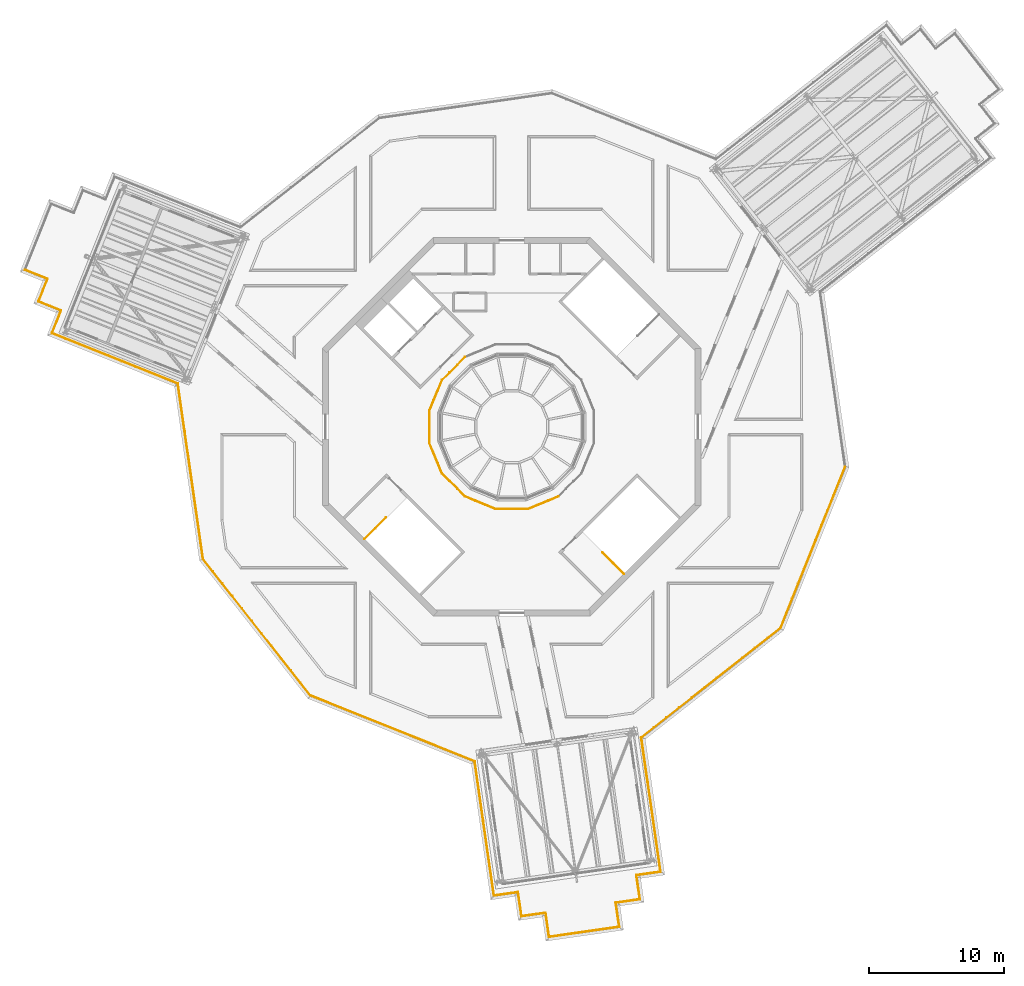
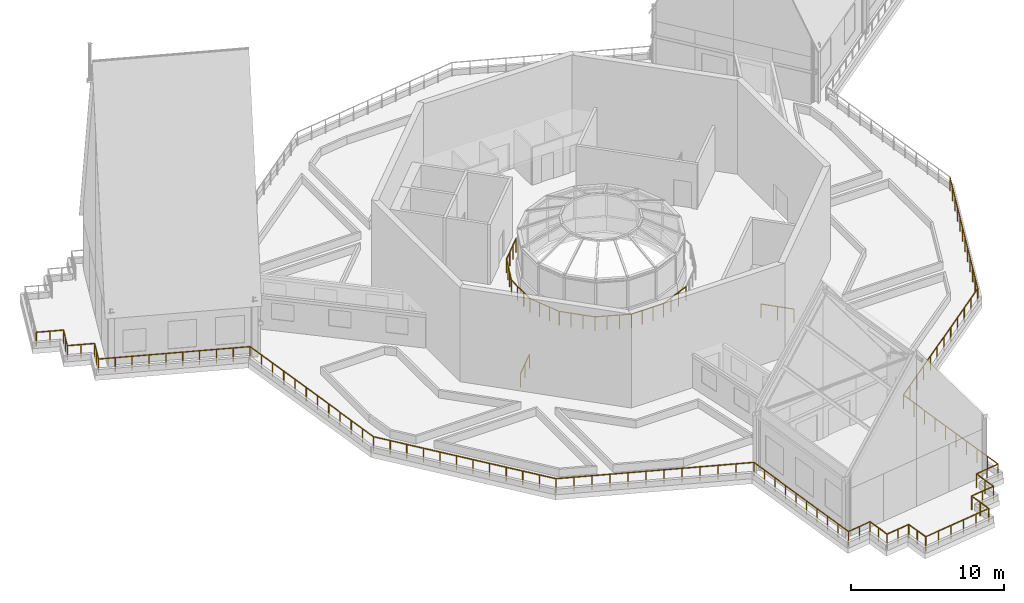
# One storey, part 31 of 32: 31 railings.
"""IFC4 building model written with IfcOpenShell, lengths in metres."""

from ifc_helpers import new_model, si_unit, direction, frame, origin, origin_2d, place, context, subcontext, project, spatial, circle, extrude, material, type_object, element, save


model = new_model("IFC4")

# Units and contexts
model_context = context("Model", 3, precision=1e-05, world=origin(), true_north=direction((0.0, 1.0)))
body_context = subcontext(model_context, "Body", "Model", "MODEL_VIEW")
ifc_project = project(units=[si_unit("LENGTHUNIT", "METRE"), si_unit("AREAUNIT", "SQUARE_METRE"), si_unit("VOLUMEUNIT", "CUBIC_METRE"), si_unit("PLANEANGLEUNIT", "RADIAN"), si_unit("MASSUNIT", "GRAM", prefix="KILO")], contexts=[model_context])

# Site, building, storey
site_placement = place(None, origin())
site = spatial("IfcSite", under=ifc_project, at=site_placement, CompositionType="ELEMENT")
building_placement = place(site_placement, origin())
building = spatial("IfcBuilding", under=site, at=building_placement, Name="Verdalira Terraces Hotel", CompositionType="ELEMENT")
storey_placement = place(building_placement, frame((0.0, 0.0, 315.0)))
storey = spatial("IfcBuildingStorey", under=building, at=storey_placement, Name="L78", CompositionType="ELEMENT", Elevation=315.0)

# Railings
ifc_material_1 = material(Name="Clear laminated glass", Category="glass")
railing_type_1 = type_object("IfcRailingType", Name="Crown glass guard 1120", PredefinedType="GUARDRAIL", material=ifc_material_1)
railing_1_placement = place(storey_placement, frame((-35.987305, 11.600586, 0.0)))
element("IfcRailing", 1, at=railing_1_placement, inside=storey, type_object=railing_type_1, Name="Crown guard", PredefinedType="GUARDRAIL", context=body_context, shape_type="SweptSolid", body=[
    extrude(circle(Radius=0.023926, at=origin_2d()), frame((0.0, 0.0, 1.096191), z_axis=(0.928205157, -0.372068792, 0.0), x_axis=(0.372068792, 0.928205157, 0.0)), (0.0, 0.0, 1.0), 1.799805),
    extrude(circle(Radius=0.020996, at=origin_2d()), origin(), (0.0, 0.0, 1.0), 1.072021),
    extrude(circle(Radius=0.020996, at=origin_2d()), frame((0.835449, -0.334961, 0.0)), (0.0, 0.0, 1.0), 1.072021),
    extrude(circle(Radius=0.020996, at=origin_2d()), frame((1.670654, -0.669678, 0.0)), (0.0, 0.0, 1.0), 1.072021),
])
railing_2_placement = place(storey_placement, frame((-34.31665, 10.930908, 0.0)))
element("IfcRailing", 2, at=railing_2_placement, inside=storey, type_object=railing_type_1, Name="Crown guard", PredefinedType="GUARDRAIL", context=body_context, shape_type="SweptSolid", body=[
    extrude(circle(Radius=0.023926, at=origin_2d()), frame((0.0, 0.0, 1.096191), z_axis=(-0.371905089, -0.928270761, 0.0), x_axis=(0.928270761, -0.371905089, 0.0)), (0.0, 0.0, 1.0), 1.800049),
    extrude(circle(Radius=0.020996, at=origin_2d()), origin(), (0.0, 0.0, 1.0), 1.072021),
    extrude(circle(Radius=0.020996, at=origin_2d()), frame((-0.334717, -0.835449, 0.0)), (0.0, 0.0, 1.0), 1.072021),
    extrude(circle(Radius=0.020996, at=origin_2d()), frame((-0.669434, -1.670898, 0.0)), (0.0, 0.0, 1.0), 1.072021),
])
railing_3_placement = place(storey_placement, frame((-34.986084, 9.26001, 0.0)))
element("IfcRailing", 3, at=railing_3_placement, inside=storey, type_object=railing_type_1, Name="Crown guard", PredefinedType="GUARDRAIL", context=body_context, shape_type="SweptSolid", body=[
    extrude(circle(Radius=0.023926, at=origin_2d()), frame((0.0, 0.0, 1.096191), z_axis=(0.928205157, -0.372068792, 0.0), x_axis=(0.372068792, 0.928205157, 0.0)), (0.0, 0.0, 1.0), 1.799805),
    extrude(circle(Radius=0.020996, at=origin_2d()), origin(), (0.0, 0.0, 1.0), 1.072021),
    extrude(circle(Radius=0.020996, at=origin_2d()), frame((0.835449, -0.334961, 0.0)), (0.0, 0.0, 1.0), 1.072021),
    extrude(circle(Radius=0.020996, at=origin_2d()), frame((1.670654, -0.669678, 0.0)), (0.0, 0.0, 1.0), 1.072021),
])
railing_4_placement = place(storey_placement, frame((-33.31543, 8.590332, 0.0)))
element("IfcRailing", 4, at=railing_4_placement, inside=storey, type_object=railing_type_1, Name="Crown guard", PredefinedType="GUARDRAIL", context=body_context, shape_type="SweptSolid", body=[
    extrude(circle(Radius=0.023926, at=origin_2d()), frame((0.0, 0.0, 1.096191), z_axis=(-0.372068792, -0.928205157, 0.0), x_axis=(0.928205157, -0.372068792, 0.0)), (0.0, 0.0, 1.0), 1.799805),
    extrude(circle(Radius=0.020996, at=origin_2d()), origin(), (0.0, 0.0, 1.0), 1.072021),
    extrude(circle(Radius=0.020996, at=origin_2d()), frame((-0.334961, -0.835449, 0.0)), (0.0, 0.0, 1.0), 1.072021),
    extrude(circle(Radius=0.020996, at=origin_2d()), frame((-0.669678, -1.670654, 0.0)), (0.0, 0.0, 1.0), 1.072021),
])
railing_5_placement = place(storey_placement, frame((-33.985107, 6.919678, 0.0)))
element("IfcRailing", 5, at=railing_5_placement, inside=storey, type_object=railing_type_1, Name="Crown guard", PredefinedType="GUARDRAIL", context=body_context, shape_type="SweptSolid", body=[
    extrude(circle(Radius=0.023926, at=origin_2d()), frame((0.0, 0.0, 1.096191), z_axis=(0.928229554, -0.372007924, 0.0), x_axis=(0.372007924, 0.928229554, 0.0)), (0.0, 0.0, 1.0), 10.023438),
    extrude(circle(Radius=0.020996, at=origin_2d()), origin(), (0.0, 0.0, 1.0), 1.072021),
    extrude(circle(Radius=0.020996, at=origin_2d()), frame((1.033691, -0.414307, 0.0)), (0.0, 0.0, 1.0), 1.072021),
    extrude(circle(Radius=0.020996, at=origin_2d()), frame((2.067627, -0.828613, 0.0)), (0.0, 0.0, 1.0), 1.072021),
    extrude(circle(Radius=0.020996, at=origin_2d()), frame((3.101318, -1.24292, 0.0)), (0.0, 0.0, 1.0), 1.072021),
    extrude(circle(Radius=0.020996, at=origin_2d()), frame((4.13501, -1.657227, 0.0)), (0.0, 0.0, 1.0), 1.072021),
    extrude(circle(Radius=0.020996, at=origin_2d()), frame((5.168945, -2.071533, 0.0)), (0.0, 0.0, 1.0), 1.072021),
    extrude(circle(Radius=0.020996, at=origin_2d()), frame((6.202637, -2.48584, 0.0)), (0.0, 0.0, 1.0), 1.072021),
    extrude(circle(Radius=0.020996, at=origin_2d()), frame((7.236328, -2.900146, 0.0)), (0.0, 0.0, 1.0), 1.072021),
    extrude(circle(Radius=0.020996, at=origin_2d()), frame((8.270264, -3.314453, 0.0)), (0.0, 0.0, 1.0), 1.072021),
    extrude(circle(Radius=0.020996, at=origin_2d()), frame((9.303955, -3.72876, 0.0)), (0.0, 0.0, 1.0), 1.072021),
])
railing_6_placement = place(storey_placement, frame((-24.681152, 3.190918, 0.0)))
element("IfcRailing", 6, at=railing_6_placement, inside=storey, type_object=railing_type_1, Name="Crown guard", PredefinedType="GUARDRAIL", context=body_context, shape_type="SweptSolid", body=[
    extrude(circle(Radius=0.023926, at=origin_2d()), frame((0.0, 0.0, 1.096191), z_axis=(0.141948911, -0.989873985, 0.0), x_axis=(0.989873985, 0.141948911, 0.0)), (0.0, 0.0, 1.0), 13.086914),
    extrude(circle(Radius=0.020996, at=origin_2d()), origin(), (0.0, 0.0, 1.0), 1.072021),
    extrude(circle(Radius=0.020996, at=origin_2d()), frame((0.168945, -1.177734, 0.0)), (0.0, 0.0, 1.0), 1.072021),
    extrude(circle(Radius=0.020996, at=origin_2d()), frame((0.337646, -2.355225, 0.0)), (0.0, 0.0, 1.0), 1.072021),
    extrude(circle(Radius=0.020996, at=origin_2d()), frame((0.506592, -3.532959, 0.0)), (0.0, 0.0, 1.0), 1.072021),
    extrude(circle(Radius=0.020996, at=origin_2d()), frame((0.675537, -4.710693, 0.0)), (0.0, 0.0, 1.0), 1.072021),
    extrude(circle(Radius=0.020996, at=origin_2d()), frame((0.844482, -5.888428, 0.0)), (0.0, 0.0, 1.0), 1.072021),
    extrude(circle(Radius=0.020996, at=origin_2d()), frame((1.013184, -7.065918, 0.0)), (0.0, 0.0, 1.0), 1.072021),
    extrude(circle(Radius=0.020996, at=origin_2d()), frame((1.182129, -8.243652, 0.0)), (0.0, 0.0, 1.0), 1.072021),
    extrude(circle(Radius=0.020996, at=origin_2d()), frame((1.351074, -9.421387, 0.0)), (0.0, 0.0, 1.0), 1.072021),
    extrude(circle(Radius=0.020996, at=origin_2d()), frame((1.52002, -10.599121, 0.0)), (0.0, 0.0, 1.0), 1.072021),
    extrude(circle(Radius=0.020996, at=origin_2d()), frame((1.688721, -11.776611, 0.0)), (0.0, 0.0, 1.0), 1.072021),
    extrude(circle(Radius=0.020996, at=origin_2d()), frame((1.857666, -12.954346, 0.0)), (0.0, 0.0, 1.0), 1.072021),
])
railing_7_placement = place(storey_placement, frame((-22.823486, -9.763428, 0.0)))
element("IfcRailing", 7, at=railing_7_placement, inside=storey, type_object=railing_type_1, Name="Crown guard", PredefinedType="GUARDRAIL", context=body_context, shape_type="SweptSolid", body=[
    extrude(circle(Radius=0.023926, at=origin_2d()), frame((0.0, 0.0, 1.096191), z_axis=(0.617847564, -0.7862979, 0.0), x_axis=(0.7862979, 0.617847564, 0.0)), (0.0, 0.0, 1.0), 12.849854),
    extrude(circle(Radius=0.020996, at=origin_2d()), origin(), (0.0, 0.0, 1.0), 1.072021),
    extrude(circle(Radius=0.020996, at=origin_2d()), frame((0.72168, -0.918457, 0.0)), (0.0, 0.0, 1.0), 1.072021),
    extrude(circle(Radius=0.020996, at=origin_2d()), frame((1.443604, -1.837158, 0.0)), (0.0, 0.0, 1.0), 1.072021),
    extrude(circle(Radius=0.020996, at=origin_2d()), frame((2.165283, -2.755615, 0.0)), (0.0, 0.0, 1.0), 1.072021),
    extrude(circle(Radius=0.020996, at=origin_2d()), frame((2.886963, -3.674072, 0.0)), (0.0, 0.0, 1.0), 1.072021),
    extrude(circle(Radius=0.020996, at=origin_2d()), frame((3.608643, -4.592529, 0.0)), (0.0, 0.0, 1.0), 1.072021),
    extrude(circle(Radius=0.020996, at=origin_2d()), frame((4.330566, -5.51123, 0.0)), (0.0, 0.0, 1.0), 1.072021),
    extrude(circle(Radius=0.020996, at=origin_2d()), frame((5.052246, -6.429688, 0.0)), (0.0, 0.0, 1.0), 1.072021),
    extrude(circle(Radius=0.020996, at=origin_2d()), frame((5.773926, -7.348145, 0.0)), (0.0, 0.0, 1.0), 1.072021),
    extrude(circle(Radius=0.020996, at=origin_2d()), frame((6.495605, -8.266602, 0.0)), (0.0, 0.0, 1.0), 1.072021),
    extrude(circle(Radius=0.020996, at=origin_2d()), frame((7.217529, -9.185303, 0.0)), (0.0, 0.0, 1.0), 1.072021),
    extrude(circle(Radius=0.020996, at=origin_2d()), frame((7.939209, -10.10376, 0.0)), (0.0, 0.0, 1.0), 1.072021),
])
railing_8_placement = place(storey_placement, frame((-14.884277, -19.867188, 0.0)))
element("IfcRailing", 8, at=railing_8_placement, inside=storey, type_object=railing_type_1, Name="Crown guard", PredefinedType="GUARDRAIL", context=body_context, shape_type="SweptSolid", body=[
    extrude(circle(Radius=0.023926, at=origin_2d()), frame((0.0, 0.0, 1.096191), z_axis=(0.928228171, -0.372011375, 0.0), x_axis=(0.372011375, 0.928228171, 0.0)), (0.0, 0.0, 1.0), 13.08667),
    extrude(circle(Radius=0.020996, at=origin_2d()), origin(), (0.0, 0.0, 1.0), 1.072021),
    extrude(circle(Radius=0.020996, at=origin_2d()), frame((1.104248, -0.442627, 0.0)), (0.0, 0.0, 1.0), 1.072021),
    extrude(circle(Radius=0.020996, at=origin_2d()), frame((2.20874, -0.885254, 0.0)), (0.0, 0.0, 1.0), 1.072021),
    extrude(circle(Radius=0.020996, at=origin_2d()), frame((3.312988, -1.327637, 0.0)), (0.0, 0.0, 1.0), 1.072021),
    extrude(circle(Radius=0.020996, at=origin_2d()), frame((4.417236, -1.770264, 0.0)), (0.0, 0.0, 1.0), 1.072021),
    extrude(circle(Radius=0.020996, at=origin_2d()), frame((5.521484, -2.212891, 0.0)), (0.0, 0.0, 1.0), 1.072021),
    extrude(circle(Radius=0.020996, at=origin_2d()), frame((6.625977, -2.655518, 0.0)), (0.0, 0.0, 1.0), 1.072021),
    extrude(circle(Radius=0.020996, at=origin_2d()), frame((7.730225, -3.098145, 0.0)), (0.0, 0.0, 1.0), 1.072021),
    extrude(circle(Radius=0.020996, at=origin_2d()), frame((8.834473, -3.540771, 0.0)), (0.0, 0.0, 1.0), 1.072021),
    extrude(circle(Radius=0.020996, at=origin_2d()), frame((9.938721, -3.983154, 0.0)), (0.0, 0.0, 1.0), 1.072021),
    extrude(circle(Radius=0.020996, at=origin_2d()), frame((11.043213, -4.425781, 0.0)), (0.0, 0.0, 1.0), 1.072021),
    extrude(circle(Radius=0.020996, at=origin_2d()), frame((12.147461, -4.868408, 0.0)), (0.0, 0.0, 1.0), 1.072021),
])
railing_9_placement = place(storey_placement, frame((-2.736816, -24.735596, 0.0)))
element("IfcRailing", 9, at=railing_9_placement, inside=storey, type_object=railing_type_1, Name="Crown guard", PredefinedType="GUARDRAIL", context=body_context, shape_type="SweptSolid", body=[
    extrude(circle(Radius=0.023926, at=origin_2d()), frame((0.0, 0.0, 1.096191), z_axis=(0.141929429, -0.989876779, 0.0), x_axis=(0.989876779, 0.141929429, 0.0)), (0.0, 0.0, 1.0), 10.023438),
    extrude(circle(Radius=0.020996, at=origin_2d()), origin(), (0.0, 0.0, 1.0), 1.072021),
    extrude(circle(Radius=0.020996, at=origin_2d()), frame((0.157959, -1.102539, 0.0)), (0.0, 0.0, 1.0), 1.072021),
    extrude(circle(Radius=0.020996, at=origin_2d()), frame((0.316162, -2.204834, 0.0)), (0.0, 0.0, 1.0), 1.072021),
    extrude(circle(Radius=0.020996, at=origin_2d()), frame((0.474121, -3.307373, 0.0)), (0.0, 0.0, 1.0), 1.072021),
    extrude(circle(Radius=0.020996, at=origin_2d()), frame((0.632324, -4.409668, 0.0)), (0.0, 0.0, 1.0), 1.072021),
    extrude(circle(Radius=0.020996, at=origin_2d()), frame((0.790283, -5.512207, 0.0)), (0.0, 0.0, 1.0), 1.072021),
    extrude(circle(Radius=0.020996, at=origin_2d()), frame((0.948486, -6.614502, 0.0)), (0.0, 0.0, 1.0), 1.072021),
    extrude(circle(Radius=0.020996, at=origin_2d()), frame((1.106445, -7.717041, 0.0)), (0.0, 0.0, 1.0), 1.072021),
    extrude(circle(Radius=0.020996, at=origin_2d()), frame((1.264648, -8.819336, 0.0)), (0.0, 0.0, 1.0), 1.072021),
    extrude(circle(Radius=0.020996, at=origin_2d()), frame((1.422607, -9.921875, 0.0)), (0.0, 0.0, 1.0), 1.072021),
])
railing_10_placement = place(storey_placement, frame((-1.314209, -34.657471, 0.0)))
element("IfcRailing", 10, at=railing_10_placement, inside=storey, type_object=railing_type_1, Name="Crown guard", PredefinedType="GUARDRAIL", context=body_context, shape_type="SweptSolid", body=[
    extrude(circle(Radius=0.023926, at=origin_2d()), frame((0.0, 0.0, 1.096191), z_axis=(0.98986796, 0.141990924, 0.0), x_axis=(-0.141990924, 0.98986796, 0.0)), (0.0, 0.0, 1.0), 1.800293),
    extrude(circle(Radius=0.020996, at=origin_2d()), origin(), (0.0, 0.0, 1.0), 1.072021),
    extrude(circle(Radius=0.020996, at=origin_2d()), frame((0.891113, 0.12793, 0.0)), (0.0, 0.0, 1.0), 1.072021),
    extrude(circle(Radius=0.020996, at=origin_2d()), frame((1.781982, 0.255615, 0.0)), (0.0, 0.0, 1.0), 1.072021),
])
railing_11_placement = place(storey_placement, frame((0.467773, -34.401855, 0.0)))
element("IfcRailing", 11, at=railing_11_placement, inside=storey, type_object=railing_type_1, Name="Crown guard", PredefinedType="GUARDRAIL", context=body_context, shape_type="SweptSolid", body=[
    extrude(circle(Radius=0.023926, at=origin_2d()), frame((0.0, 0.0, 1.096191), z_axis=(0.141877084, -0.989884283, 0.0), x_axis=(0.989884283, 0.141877084, 0.0)), (0.0, 0.0, 1.0), 1.800049),
    extrude(circle(Radius=0.020996, at=origin_2d()), origin(), (0.0, 0.0, 1.0), 1.072021),
    extrude(circle(Radius=0.020996, at=origin_2d()), frame((0.127686, -0.890869, 0.0)), (0.0, 0.0, 1.0), 1.072021),
    extrude(circle(Radius=0.020996, at=origin_2d()), frame((0.255371, -1.781738, 0.0)), (0.0, 0.0, 1.0), 1.072021),
])
railing_12_placement = place(storey_placement, frame((0.723145, -36.183594, 0.0)))
element("IfcRailing", 12, at=railing_12_placement, inside=storey, type_object=railing_type_1, Name="Crown guard", PredefinedType="GUARDRAIL", context=body_context, shape_type="SweptSolid", body=[
    extrude(circle(Radius=0.023926, at=origin_2d()), frame((0.0, 0.0, 1.096191), z_axis=(0.989884283, 0.141877084, 0.0), x_axis=(-0.141877084, 0.989884283, 0.0)), (0.0, 0.0, 1.0), 1.800049),
    extrude(circle(Radius=0.020996, at=origin_2d()), origin(), (0.0, 0.0, 1.0), 1.072021),
    extrude(circle(Radius=0.020996, at=origin_2d()), frame((0.890869, 0.127686, 0.0)), (0.0, 0.0, 1.0), 1.072021),
    extrude(circle(Radius=0.020996, at=origin_2d()), frame((1.781738, 0.255371, 0.0)), (0.0, 0.0, 1.0), 1.072021),
])
railing_13_placement = place(storey_placement, frame((2.504883, -35.928223, 0.0)))
element("IfcRailing", 13, at=railing_13_placement, inside=storey, type_object=railing_type_1, Name="Crown guard", PredefinedType="GUARDRAIL", context=body_context, shape_type="SweptSolid", body=[
    extrude(circle(Radius=0.023926, at=origin_2d()), frame((0.0, 0.0, 1.096191), z_axis=(0.142009988, -0.989865225, 0.0), x_axis=(0.989865225, 0.142009988, 0.0)), (0.0, 0.0, 1.0), 1.800049),
    extrude(circle(Radius=0.020996, at=origin_2d()), origin(), (0.0, 0.0, 1.0), 1.072021),
    extrude(circle(Radius=0.020996, at=origin_2d()), frame((0.12793, -0.890869, 0.0)), (0.0, 0.0, 1.0), 1.072021),
    extrude(circle(Radius=0.020996, at=origin_2d()), frame((0.255615, -1.781738, 0.0)), (0.0, 0.0, 1.0), 1.072021),
])
railing_14_placement = place(storey_placement, frame((2.760498, -37.709961, 0.0)))
element("IfcRailing", 14, at=railing_14_placement, inside=storey, type_object=railing_type_1, Name="Crown guard", PredefinedType="GUARDRAIL", context=body_context, shape_type="SweptSolid", body=[
    extrude(circle(Radius=0.023926, at=origin_2d()), frame((0.0, 0.0, 1.096191), z_axis=(0.989878551, 0.14191707, 0.0), x_axis=(-0.14191707, 0.989878551, 0.0)), (0.0, 0.0, 1.0), 5.23999),
    extrude(circle(Radius=0.020996, at=origin_2d()), origin(), (0.0, 0.0, 1.0), 1.072021),
    extrude(circle(Radius=0.020996, at=origin_2d()), frame((1.037354, 0.148682, 0.0)), (0.0, 0.0, 1.0), 1.072021),
    extrude(circle(Radius=0.020996, at=origin_2d()), frame((2.074707, 0.297363, 0.0)), (0.0, 0.0, 1.0), 1.072021),
    extrude(circle(Radius=0.020996, at=origin_2d()), frame((3.112305, 0.446289, 0.0)), (0.0, 0.0, 1.0), 1.072021),
    extrude(circle(Radius=0.020996, at=origin_2d()), frame((4.149658, 0.594971, 0.0)), (0.0, 0.0, 1.0), 1.072021),
    extrude(circle(Radius=0.020996, at=origin_2d()), frame((5.187012, 0.743652, 0.0)), (0.0, 0.0, 1.0), 1.072021),
])
railing_15_placement = place(storey_placement, frame((7.94751, -36.966309, 0.0)))
element("IfcRailing", 15, at=railing_15_placement, inside=storey, type_object=railing_type_1, Name="Crown guard", PredefinedType="GUARDRAIL", context=body_context, shape_type="SweptSolid", body=[
    extrude(circle(Radius=0.023926, at=origin_2d()), frame((0.0, 0.0, 1.096191), z_axis=(-0.142009988, 0.989865225, 0.0), x_axis=(-0.989865225, -0.142009988, 0.0)), (0.0, 0.0, 1.0), 1.800049),
    extrude(circle(Radius=0.020996, at=origin_2d()), origin(), (0.0, 0.0, 1.0), 1.072021),
    extrude(circle(Radius=0.020996, at=origin_2d()), frame((-0.12793, 0.890869, 0.0)), (0.0, 0.0, 1.0), 1.072021),
    extrude(circle(Radius=0.020996, at=origin_2d()), frame((-0.255615, 1.781738, 0.0)), (0.0, 0.0, 1.0), 1.072021),
])
railing_16_placement = place(storey_placement, frame((7.691895, -35.18457, 0.0)))
element("IfcRailing", 16, at=railing_16_placement, inside=storey, type_object=railing_type_1, Name="Crown guard", PredefinedType="GUARDRAIL", context=body_context, shape_type="SweptSolid", body=[
    extrude(circle(Radius=0.023926, at=origin_2d()), frame((0.0, 0.0, 1.096191), z_axis=(0.989865225, 0.142009988, 0.0), x_axis=(-0.142009988, 0.989865225, 0.0)), (0.0, 0.0, 1.0), 1.800049),
    extrude(circle(Radius=0.020996, at=origin_2d()), origin(), (0.0, 0.0, 1.0), 1.072021),
    extrude(circle(Radius=0.020996, at=origin_2d()), frame((0.890869, 0.12793, 0.0)), (0.0, 0.0, 1.0), 1.072021),
    extrude(circle(Radius=0.020996, at=origin_2d()), frame((1.781738, 0.255615, 0.0)), (0.0, 0.0, 1.0), 1.072021),
])
railing_17_placement = place(storey_placement, frame((9.473633, -34.928955, 0.0)))
element("IfcRailing", 17, at=railing_17_placement, inside=storey, type_object=railing_type_1, Name="Crown guard", PredefinedType="GUARDRAIL", context=body_context, shape_type="SweptSolid", body=[
    extrude(circle(Radius=0.023926, at=origin_2d()), frame((0.0, 0.0, 1.096191), z_axis=(-0.141877084, 0.989884283, 0.0), x_axis=(-0.989884283, -0.141877084, 0.0)), (0.0, 0.0, 1.0), 1.800049),
    extrude(circle(Radius=0.020996, at=origin_2d()), origin(), (0.0, 0.0, 1.0), 1.072021),
    extrude(circle(Radius=0.020996, at=origin_2d()), frame((-0.127686, 0.890869, 0.0)), (0.0, 0.0, 1.0), 1.072021),
    extrude(circle(Radius=0.020996, at=origin_2d()), frame((-0.255371, 1.781738, 0.0)), (0.0, 0.0, 1.0), 1.072021),
])
railing_18_placement = place(storey_placement, frame((9.218262, -33.147217, 0.0)))
element("IfcRailing", 18, at=railing_18_placement, inside=storey, type_object=railing_type_1, Name="Crown guard", PredefinedType="GUARDRAIL", context=body_context, shape_type="SweptSolid", body=[
    extrude(circle(Radius=0.023926, at=origin_2d()), frame((0.0, 0.0, 1.096191), z_axis=(0.989865225, 0.142009988, 0.0), x_axis=(-0.142009988, 0.989865225, 0.0)), (0.0, 0.0, 1.0), 1.800049),
    extrude(circle(Radius=0.020996, at=origin_2d()), origin(), (0.0, 0.0, 1.0), 1.072021),
    extrude(circle(Radius=0.020996, at=origin_2d()), frame((0.890869, 0.12793, 0.0)), (0.0, 0.0, 1.0), 1.072021),
    extrude(circle(Radius=0.020996, at=origin_2d()), frame((1.781738, 0.255615, 0.0)), (0.0, 0.0, 1.0), 1.072021),
])
railing_19_placement = place(storey_placement, frame((11.0, -32.891602, 0.0)))
element("IfcRailing", 19, at=railing_19_placement, inside=storey, type_object=railing_type_1, Name="Crown guard", PredefinedType="GUARDRAIL", context=body_context, shape_type="SweptSolid", body=[
    extrude(circle(Radius=0.023926, at=origin_2d()), frame((0.0, 0.0, 1.096191), z_axis=(-0.141932851, 0.989876288, 0.0), x_axis=(-0.989876288, -0.141932851, 0.0)), (0.0, 0.0, 1.0), 10.023193),
    extrude(circle(Radius=0.020996, at=origin_2d()), origin(), (0.0, 0.0, 1.0), 1.072021),
    extrude(circle(Radius=0.020996, at=origin_2d()), frame((-0.157959, 1.102295, 0.0)), (0.0, 0.0, 1.0), 1.072021),
    extrude(circle(Radius=0.020996, at=origin_2d()), frame((-0.316162, 2.204834, 0.0)), (0.0, 0.0, 1.0), 1.072021),
    extrude(circle(Radius=0.020996, at=origin_2d()), frame((-0.474121, 3.307129, 0.0)), (0.0, 0.0, 1.0), 1.072021),
    extrude(circle(Radius=0.020996, at=origin_2d()), frame((-0.632324, 4.409668, 0.0)), (0.0, 0.0, 1.0), 1.072021),
    extrude(circle(Radius=0.020996, at=origin_2d()), frame((-0.790283, 5.511963, 0.0)), (0.0, 0.0, 1.0), 1.072021),
    extrude(circle(Radius=0.020996, at=origin_2d()), frame((-0.948486, 6.614502, 0.0)), (0.0, 0.0, 1.0), 1.072021),
    extrude(circle(Radius=0.020996, at=origin_2d()), frame((-1.106445, 7.716797, 0.0)), (0.0, 0.0, 1.0), 1.072021),
    extrude(circle(Radius=0.020996, at=origin_2d()), frame((-1.264648, 8.819336, 0.0)), (0.0, 0.0, 1.0), 1.072021),
    extrude(circle(Radius=0.020996, at=origin_2d()), frame((-1.422607, 9.921631, 0.0)), (0.0, 0.0, 1.0), 1.072021),
])
railing_20_placement = place(storey_placement, frame((9.577393, -22.969971, 0.0)))
element("IfcRailing", 20, at=railing_20_placement, inside=storey, type_object=railing_type_1, Name="Crown guard", PredefinedType="GUARDRAIL", context=body_context, shape_type="SweptSolid", body=[
    extrude(circle(Radius=0.023926, at=origin_2d()), frame((0.0, 0.0, 1.096191), z_axis=(0.786286617, 0.617861923, 0.0), x_axis=(-0.617861923, 0.786286617, 0.0)), (0.0, 0.0, 1.0), 13.08667),
    extrude(circle(Radius=0.020996, at=origin_2d()), origin(), (0.0, 0.0, 1.0), 1.072021),
    extrude(circle(Radius=0.020996, at=origin_2d()), frame((0.935547, 0.735107, 0.0)), (0.0, 0.0, 1.0), 1.072021),
    extrude(circle(Radius=0.020996, at=origin_2d()), frame((1.87085, 1.470215, 0.0)), (0.0, 0.0, 1.0), 1.072021),
    extrude(circle(Radius=0.020996, at=origin_2d()), frame((2.806396, 2.205078, 0.0)), (0.0, 0.0, 1.0), 1.072021),
    extrude(circle(Radius=0.020996, at=origin_2d()), frame((3.741699, 2.940186, 0.0)), (0.0, 0.0, 1.0), 1.072021),
    extrude(circle(Radius=0.020996, at=origin_2d()), frame((4.677246, 3.675293, 0.0)), (0.0, 0.0, 1.0), 1.072021),
    extrude(circle(Radius=0.020996, at=origin_2d()), frame((5.612549, 4.4104, 0.0)), (0.0, 0.0, 1.0), 1.072021),
    extrude(circle(Radius=0.020996, at=origin_2d()), frame((6.548096, 5.145508, 0.0)), (0.0, 0.0, 1.0), 1.072021),
    extrude(circle(Radius=0.020996, at=origin_2d()), frame((7.483398, 5.880615, 0.0)), (0.0, 0.0, 1.0), 1.072021),
    extrude(circle(Radius=0.020996, at=origin_2d()), frame((8.418945, 6.615479, 0.0)), (0.0, 0.0, 1.0), 1.072021),
    extrude(circle(Radius=0.020996, at=origin_2d()), frame((9.354248, 7.350586, 0.0)), (0.0, 0.0, 1.0), 1.072021),
    extrude(circle(Radius=0.020996, at=origin_2d()), frame((10.289795, 8.085693, 0.0)), (0.0, 0.0, 1.0), 1.072021),
])
railing_21_placement = place(storey_placement, frame((19.867188, -14.884277, 0.0)))
element("IfcRailing", 21, at=railing_21_placement, inside=storey, type_object=railing_type_1, Name="Crown guard", PredefinedType="GUARDRAIL", context=body_context, shape_type="SweptSolid", body=[
    extrude(circle(Radius=0.023926, at=origin_2d()), frame((0.0, 0.0, 1.096191), z_axis=(0.372006434, 0.928230151, 0.0), x_axis=(-0.928230151, 0.372006434, 0.0)), (0.0, 0.0, 1.0), 12.849854),
    extrude(circle(Radius=0.020996, at=origin_2d()), origin(), (0.0, 0.0, 1.0), 1.072021),
    extrude(circle(Radius=0.020996, at=origin_2d()), frame((0.43457, 1.084229, 0.0)), (0.0, 0.0, 1.0), 1.072021),
    extrude(circle(Radius=0.020996, at=origin_2d()), frame((0.869141, 2.168701, 0.0)), (0.0, 0.0, 1.0), 1.072021),
    extrude(circle(Radius=0.020996, at=origin_2d()), frame((1.303711, 3.25293, 0.0)), (0.0, 0.0, 1.0), 1.072021),
    extrude(circle(Radius=0.020996, at=origin_2d()), frame((1.738281, 4.337402, 0.0)), (0.0, 0.0, 1.0), 1.072021),
    extrude(circle(Radius=0.020996, at=origin_2d()), frame((2.172852, 5.421631, 0.0)), (0.0, 0.0, 1.0), 1.072021),
    extrude(circle(Radius=0.020996, at=origin_2d()), frame((2.607422, 6.506104, 0.0)), (0.0, 0.0, 1.0), 1.072021),
    extrude(circle(Radius=0.020996, at=origin_2d()), frame((3.041992, 7.590332, 0.0)), (0.0, 0.0, 1.0), 1.072021),
    extrude(circle(Radius=0.020996, at=origin_2d()), frame((3.476562, 8.674805, 0.0)), (0.0, 0.0, 1.0), 1.072021),
    extrude(circle(Radius=0.020996, at=origin_2d()), frame((3.911133, 9.759033, 0.0)), (0.0, 0.0, 1.0), 1.072021),
    extrude(circle(Radius=0.020996, at=origin_2d()), frame((4.345703, 10.843506, 0.0)), (0.0, 0.0, 1.0), 1.072021),
    extrude(circle(Radius=0.020996, at=origin_2d()), frame((4.780273, 11.927734, 0.0)), (0.0, 0.0, 1.0), 1.072021),
])
ifc_material_2 = material(Name="Stainless steel", Category="steel")
railing_type_2 = type_object("IfcRailingType", Name="Lantern surround guard 1120", PredefinedType="GUARDRAIL", material=ifc_material_2)
railing_22_placement = place(storey_placement, frame((-3.44458, 5.155029, 0.0)))
element("IfcRailing", 22, at=railing_22_placement, inside=storey, type_object=railing_type_2, Name="Lantern surround guard", PredefinedType="GUARDRAIL", context=body_context, shape_type="SweptSolid", body=[
    extrude(circle(Radius=0.023926, at=origin_2d()), frame((0.0, 0.0, 1.096191), z_axis=(-0.707106781, -0.707106781, 0.0), x_axis=(0.707106781, -0.707106781, 0.0)), (0.0, 0.0, 1.0), 2.418945),
    extrude(circle(Radius=0.020996, at=origin_2d()), origin(), (0.0, 0.0, 1.0), 1.072021),
    extrude(circle(Radius=0.020996, at=origin_2d()), frame((-0.570068, -0.570068, 0.0)), (0.0, 0.0, 1.0), 1.072021),
    extrude(circle(Radius=0.020996, at=origin_2d()), frame((-1.140381, -1.140381, 0.0)), (0.0, 0.0, 1.0), 1.072021),
    extrude(circle(Radius=0.020996, at=origin_2d()), frame((-1.710449, -1.710449, 0.0)), (0.0, 0.0, 1.0), 1.072021),
])
railing_23_placement = place(storey_placement, frame((-5.155029, 3.44458, 0.0)))
element("IfcRailing", 23, at=railing_23_placement, inside=storey, type_object=railing_type_2, Name="Lantern surround guard", PredefinedType="GUARDRAIL", context=body_context, shape_type="SweptSolid", body=[
    extrude(circle(Radius=0.023926, at=origin_2d()), frame((0.0, 0.0, 1.096191), z_axis=(-0.382708332, -0.923869218, 0.0), x_axis=(0.923869218, -0.382708332, 0.0)), (0.0, 0.0, 1.0), 2.418945),
    extrude(circle(Radius=0.020996, at=origin_2d()), origin(), (0.0, 0.0, 1.0), 1.072021),
    extrude(circle(Radius=0.020996, at=origin_2d()), frame((-0.308594, -0.744873, 0.0)), (0.0, 0.0, 1.0), 1.072021),
    extrude(circle(Radius=0.020996, at=origin_2d()), frame((-0.617188, -1.48999, 0.0)), (0.0, 0.0, 1.0), 1.072021),
    extrude(circle(Radius=0.020996, at=origin_2d()), frame((-0.925781, -2.234863, 0.0)), (0.0, 0.0, 1.0), 1.072021),
])
railing_24_placement = place(storey_placement, frame((-6.080811, 1.209717, 0.0)))
element("IfcRailing", 24, at=railing_24_placement, inside=storey, type_object=railing_type_2, Name="Lantern surround guard", PredefinedType="GUARDRAIL", context=body_context, shape_type="SweptSolid", body=[
    extrude(circle(Radius=0.023926, at=origin_2d()), frame((0.0, 0.0, 1.096191), z_axis=(0.0, -1.0, 0.0), x_axis=(1.0, 0.0, 0.0)), (0.0, 0.0, 1.0), 2.419434),
    extrude(circle(Radius=0.020996, at=origin_2d()), origin(), (0.0, 0.0, 1.0), 1.072021),
    extrude(circle(Radius=0.020996, at=origin_2d()), frame((0.0, -0.806396, 0.0)), (0.0, 0.0, 1.0), 1.072021),
    extrude(circle(Radius=0.020996, at=origin_2d()), frame((0.0, -1.613037, 0.0)), (0.0, 0.0, 1.0), 1.072021),
    extrude(circle(Radius=0.020996, at=origin_2d()), frame((0.0, -2.419434, 0.0)), (0.0, 0.0, 1.0), 1.072021),
])
railing_25_placement = place(storey_placement, frame((-6.080811, -1.209717, 0.0)))
element("IfcRailing", 25, at=railing_25_placement, inside=storey, type_object=railing_type_2, Name="Lantern surround guard", PredefinedType="GUARDRAIL", context=body_context, shape_type="SweptSolid", body=[
    extrude(circle(Radius=0.023926, at=origin_2d()), frame((0.0, 0.0, 1.096191), z_axis=(0.382708332, -0.923869218, 0.0), x_axis=(0.923869218, 0.382708332, 0.0)), (0.0, 0.0, 1.0), 2.418945),
    extrude(circle(Radius=0.020996, at=origin_2d()), origin(), (0.0, 0.0, 1.0), 1.072021),
    extrude(circle(Radius=0.020996, at=origin_2d()), frame((0.308594, -0.744873, 0.0)), (0.0, 0.0, 1.0), 1.072021),
    extrude(circle(Radius=0.020996, at=origin_2d()), frame((0.617188, -1.48999, 0.0)), (0.0, 0.0, 1.0), 1.072021),
    extrude(circle(Radius=0.020996, at=origin_2d()), frame((0.925781, -2.234863, 0.0)), (0.0, 0.0, 1.0), 1.072021),
])
railing_26_placement = place(storey_placement, frame((-5.155029, -3.44458, 0.0)))
element("IfcRailing", 26, at=railing_26_placement, inside=storey, type_object=railing_type_2, Name="Lantern surround guard", PredefinedType="GUARDRAIL", context=body_context, shape_type="SweptSolid", body=[
    extrude(circle(Radius=0.023926, at=origin_2d()), frame((0.0, 0.0, 1.096191), z_axis=(0.707106781, -0.707106781, 0.0), x_axis=(0.707106781, 0.707106781, 0.0)), (0.0, 0.0, 1.0), 2.418945),
    extrude(circle(Radius=0.020996, at=origin_2d()), origin(), (0.0, 0.0, 1.0), 1.072021),
    extrude(circle(Radius=0.020996, at=origin_2d()), frame((0.570068, -0.570068, 0.0)), (0.0, 0.0, 1.0), 1.072021),
    extrude(circle(Radius=0.020996, at=origin_2d()), frame((1.140381, -1.140381, 0.0)), (0.0, 0.0, 1.0), 1.072021),
    extrude(circle(Radius=0.020996, at=origin_2d()), frame((1.710449, -1.710449, 0.0)), (0.0, 0.0, 1.0), 1.072021),
])
railing_27_placement = place(storey_placement, frame((-3.44458, -5.155029, 0.0)))
element("IfcRailing", 27, at=railing_27_placement, inside=storey, type_object=railing_type_2, Name="Lantern surround guard", PredefinedType="GUARDRAIL", context=body_context, shape_type="SweptSolid", body=[
    extrude(circle(Radius=0.023926, at=origin_2d()), frame((0.0, 0.0, 1.096191), z_axis=(0.923869218, -0.382708332, 0.0), x_axis=(0.382708332, 0.923869218, 0.0)), (0.0, 0.0, 1.0), 2.418945),
    extrude(circle(Radius=0.020996, at=origin_2d()), origin(), (0.0, 0.0, 1.0), 1.072021),
    extrude(circle(Radius=0.020996, at=origin_2d()), frame((0.744873, -0.308594, 0.0)), (0.0, 0.0, 1.0), 1.072021),
    extrude(circle(Radius=0.020996, at=origin_2d()), frame((1.48999, -0.617188, 0.0)), (0.0, 0.0, 1.0), 1.072021),
    extrude(circle(Radius=0.020996, at=origin_2d()), frame((2.234863, -0.925781, 0.0)), (0.0, 0.0, 1.0), 1.072021),
])
railing_28_placement = place(storey_placement, frame((-1.209717, -6.080811, 0.0)))
element("IfcRailing", 28, at=railing_28_placement, inside=storey, type_object=railing_type_2, Name="Lantern surround guard", PredefinedType="GUARDRAIL", context=body_context, shape_type="SweptSolid", body=[
    extrude(circle(Radius=0.023926, at=origin_2d()), frame((0.0, 0.0, 1.096191), z_axis=(1.0, 0.0, 0.0), x_axis=(0.0, 1.0, 0.0)), (0.0, 0.0, 1.0), 2.419434),
    extrude(circle(Radius=0.020996, at=origin_2d()), origin(), (0.0, 0.0, 1.0), 1.072021),
    extrude(circle(Radius=0.020996, at=origin_2d()), frame((0.806396, 0.0, 0.0)), (0.0, 0.0, 1.0), 1.072021),
    extrude(circle(Radius=0.020996, at=origin_2d()), frame((1.613037, 0.0, 0.0)), (0.0, 0.0, 1.0), 1.072021),
    extrude(circle(Radius=0.020996, at=origin_2d()), frame((2.419434, 0.0, 0.0)), (0.0, 0.0, 1.0), 1.072021),
])
railing_29_placement = place(storey_placement, frame((1.209717, -6.080811, 0.0)))
element("IfcRailing", 29, at=railing_29_placement, inside=storey, type_object=railing_type_2, Name="Lantern surround guard", PredefinedType="GUARDRAIL", context=body_context, shape_type="SweptSolid", body=[
    extrude(circle(Radius=0.023926, at=origin_2d()), frame((0.0, 0.0, 1.096191), z_axis=(0.923869218, 0.382708332, 0.0), x_axis=(-0.382708332, 0.923869218, 0.0)), (0.0, 0.0, 1.0), 2.418945),
    extrude(circle(Radius=0.020996, at=origin_2d()), origin(), (0.0, 0.0, 1.0), 1.072021),
    extrude(circle(Radius=0.020996, at=origin_2d()), frame((0.744873, 0.308594, 0.0)), (0.0, 0.0, 1.0), 1.072021),
    extrude(circle(Radius=0.020996, at=origin_2d()), frame((1.48999, 0.617188, 0.0)), (0.0, 0.0, 1.0), 1.072021),
    extrude(circle(Radius=0.020996, at=origin_2d()), frame((2.234863, 0.925781, 0.0)), (0.0, 0.0, 1.0), 1.072021),
])
ifc_material_3 = material(Name="Stainless steel", Category="steel")
railing_type_3 = type_object("IfcRailingType", Name="Stair guard 1100", PredefinedType="GUARDRAIL", material=ifc_material_3)
railing_30_placement = place(storey_placement, frame((-10.871826, -8.290771, 0.0)))
element("IfcRailing", 30, at=railing_30_placement, inside=storey, type_object=railing_type_3, Name="L78 ST2 top well guard 1", PredefinedType="GUARDRAIL", context=body_context, shape_type="SweptSolid", body=[
    extrude(circle(Radius=0.023926, at=origin_2d()), frame((0.0, 0.0, 1.076172), z_axis=(0.70716164, 0.707051918, 0.0), x_axis=(-0.707051918, 0.70716164, 0.0)), (0.0, 0.0, 1.0), 2.225098),
    extrude(circle(Radius=0.020996, at=origin_2d()), origin(), (0.0, 0.0, 1.0), 1.052002),
    extrude(circle(Radius=0.020996, at=origin_2d()), frame((0.786621, 0.786621, 0.0)), (0.0, 0.0, 1.0), 1.052002),
    extrude(circle(Radius=0.020996, at=origin_2d()), frame((1.573486, 1.573242, 0.0)), (0.0, 0.0, 1.0), 1.052002),
])
railing_31_placement = place(storey_placement, frame((8.290771, -10.871826, 0.0)))
element("IfcRailing", 31, at=railing_31_placement, inside=storey, type_object=railing_type_3, Name="L78 ST3 top well guard 1", PredefinedType="GUARDRAIL", context=body_context, shape_type="SweptSolid", body=[
    extrude(circle(Radius=0.023926, at=origin_2d()), frame((0.0, 0.0, 1.076172), z_axis=(-0.707051918, 0.70716164, 0.0), x_axis=(-0.70716164, -0.707051918, 0.0)), (0.0, 0.0, 1.0), 2.225098),
    extrude(circle(Radius=0.020996, at=origin_2d()), origin(), (0.0, 0.0, 1.0), 1.052002),
    extrude(circle(Radius=0.020996, at=origin_2d()), frame((-0.786621, 0.786621, 0.0)), (0.0, 0.0, 1.0), 1.052002),
    extrude(circle(Radius=0.020996, at=origin_2d()), frame((-1.573242, 1.573486, 0.0)), (0.0, 0.0, 1.0), 1.052002),
])

save(model, "model.ifc")
